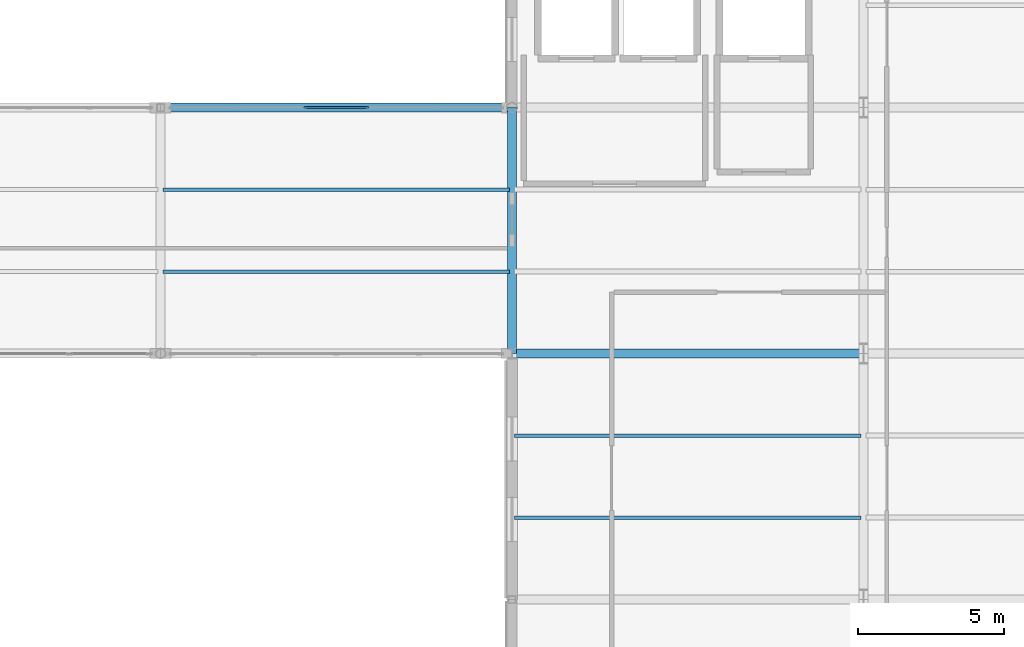
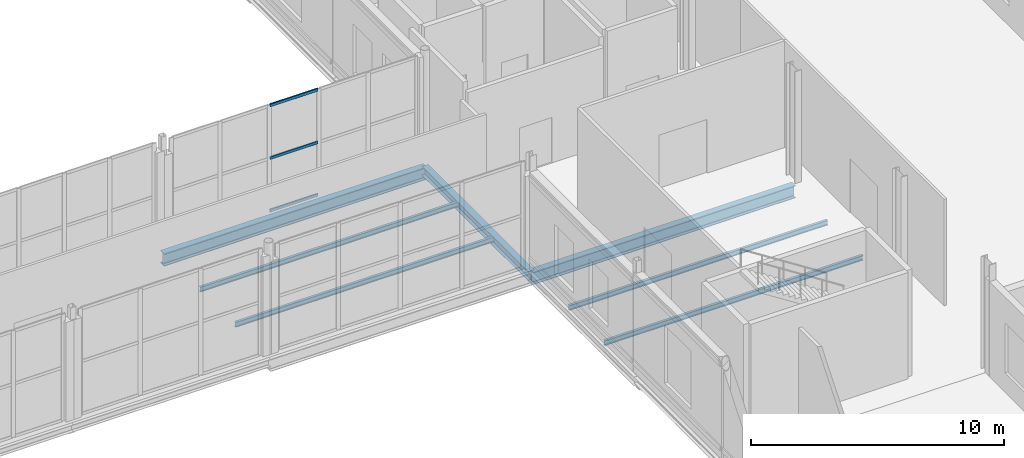
# One storey, part 91 of 147: 7 beams, 3 members, 1 element without a shape of its own.
"""IFC4 building model written with IfcOpenShell, lengths in metres."""

import ifcopenshell
import ifcopenshell.guid

model = None  # the IFC model being written
_history = None  # IfcOwnerHistory: only IFC2X3 demands one
_inside = {}  # id of a spatial element -> (the spatial element, [elements in it])
_under = {}  # id of a project, library or spatial element -> (it, [spatial elements below it])
_declared = {}  # id of a project -> (the project, [libraries it declares])
_typed = {}  # id of a type object -> (the type object, [elements of that type])
_made_of = {}  # id of a material, layer set ... -> (it, [elements and type objects made of it])


def new_model(schema):
    """Start an empty IFC model of exactly this schema.

    Asked for "IFC4X3", IfcOpenShell would pick the latest addendum, in which some entities
    have other attributes; the version numbers below select the first issue.
    IFC2X3 requires an IfcOwnerHistory on every rooted entity: one is made here for all.
    """
    global model, _history
    if schema == "IFC4X3":
        model = ifcopenshell.file(schema_version=(4, 3, 0, 0))
    else:
        model = ifcopenshell.file(schema=schema)
    _inside.clear()
    _under.clear()
    _declared.clear()
    _typed.clear()
    _made_of.clear()
    _history = None
    if model.schema == "IFC2X3":
        org = make("IfcOrganization", Name="unknown")
        user = make(
            "IfcPersonAndOrganization",
            ThePerson=make("IfcPerson", FamilyName="unknown"),
            TheOrganization=org,
        )
        app = make(
            "IfcApplication",
            ApplicationDeveloper=org,
            Version="unknown",
            ApplicationFullName="unknown",
            ApplicationIdentifier="unknown",
        )
        _history = make(
            "IfcOwnerHistory",
            OwningUser=user,
            OwningApplication=app,
            ChangeAction="ADDED",
            CreationDate=0,
        )
    return model


def make(cls, **values):
    """One entity of the class cls with the attributes given. An attribute that is None is left unset."""
    return model.create_entity(
        cls, **{name: value for name, value in values.items() if value is not None}
    )


def rooted(cls, **values):
    """An entity with a GlobalId (a new one), such as an element, a storey or a relation."""
    return make(cls, GlobalId=ifcopenshell.guid.new(), OwnerHistory=_history, **values)


def si_unit(unit_type, name, prefix=None):
    """IfcSIUnit, for example si_unit("LENGTHUNIT", "METRE", prefix="MILLI")."""
    return make("IfcSIUnit", UnitType=unit_type, Prefix=prefix, Name=name)


def assignment(units):
    """IfcUnitAssignment: the units of a project."""
    return None if units is None else make("IfcUnitAssignment", Units=units)


def point(xyz):
    """IfcCartesianPoint."""
    return None if xyz is None else make("IfcCartesianPoint", Coordinates=xyz)


def direction(xyz):
    """IfcDirection."""
    return None if xyz is None else make("IfcDirection", DirectionRatios=xyz)


def frame(location, z_axis=None, x_axis=None):
    """IfcAxis2Placement3D, a coordinate frame: its origin and axes. An axis left out is left unset."""
    return make(
        "IfcAxis2Placement3D",
        Location=point(location),
        Axis=direction(z_axis),
        RefDirection=direction(x_axis),
    )


def frame_2d(location, x_axis=None):
    """IfcAxis2Placement2D, a coordinate frame in the plane: its origin and x axis."""
    return make(
        "IfcAxis2Placement2D", Location=point(location), RefDirection=direction(x_axis)
    )


def origin():
    """The frame at (0, 0, 0) with its axes left unset."""
    return frame((0.0, 0.0, 0.0))


def origin_2d():
    """The frame at (0, 0) in the plane with its x axis left unset."""
    return frame_2d((0.0, 0.0))


def place(relative_to, where):
    """IfcLocalPlacement: puts the frame where relative to a parent placement (None: the world)."""
    return make(
        "IfcLocalPlacement", PlacementRelTo=relative_to, RelativePlacement=where
    )


def context(
    kind, dimensions, precision=None, world=None, true_north=None, identifier=None
):
    """IfcGeometricRepresentationContext, for example the 3D "Model" context."""
    return make(
        "IfcGeometricRepresentationContext",
        ContextIdentifier=identifier,
        ContextType=kind,
        CoordinateSpaceDimension=dimensions,
        Precision=precision,
        WorldCoordinateSystem=world,
        TrueNorth=true_north,
    )


def subcontext(parent, identifier, kind, view, scale=None):
    """IfcGeometricRepresentationSubContext, for example "Body" below "Model"."""
    return make(
        "IfcGeometricRepresentationSubContext",
        ContextIdentifier=identifier,
        ContextType=kind,
        ParentContext=parent,
        TargetScale=scale,
        TargetView=view,
    )


def project(units=None, contexts=None):
    """IfcProject with its units and contexts."""
    return rooted(
        "IfcProject",
        Name="project",
        RepresentationContexts=contexts,
        UnitsInContext=assignment(units),
    )


def spatial(cls, under=None, at=None, **own):
    """A site, building, storey or space (cls), placed at a placement, below another one or the project."""
    s = rooted(cls, ObjectPlacement=at, **own)
    if under is not None:
        _under.setdefault(under.id(), (under, []))[1].append(s)
    return s


def profile(cls, at=None, kind="AREA", **sizes):
    """A parametric profile (cls). Its sizes go by their IFC names, for example OverallWidth=200.0."""
    return make(cls, ProfileType=kind, Position=at, **sizes)


def hollow_rectangle(**sizes):
    """IfcRectangleHollowProfileDef."""
    return profile("IfcRectangleHollowProfileDef", **sizes)


def i_section(**sizes):
    """IfcIShapeProfileDef."""
    return profile("IfcIShapeProfileDef", **sizes)


def extrude(swept, where, along, depth):
    """IfcExtrudedAreaSolid: the profile swept, set in the frame where, extruded along a direction by depth."""
    return make(
        "IfcExtrudedAreaSolid",
        SweptArea=swept,
        Position=where,
        ExtrudedDirection=direction(along),
        Depth=depth,
    )


def shape(context_of_items, identifier, shape_type, items):
    """IfcShapeRepresentation: the items that make up one representation, for example the "Body"."""
    return make(
        "IfcShapeRepresentation",
        ContextOfItems=context_of_items,
        RepresentationIdentifier=identifier,
        RepresentationType=shape_type,
        Items=items,
    )


def material(Name=None, Category=None):
    """IfcMaterial."""
    return make("IfcMaterial", Name=Name, Category=Category)


def layer(
    of_material, thickness, ventilated=None, Name=None, Category=None, Priority=None
):
    """IfcMaterialLayer: one layer of a wall or slab, of a material (None: an air gap)."""
    return make(
        "IfcMaterialLayer",
        Material=of_material,
        LayerThickness=thickness,
        IsVentilated=ventilated,
        Name=Name,
        Category=Category,
        Priority=Priority,
    )


def layer_set(layers, Name=None):
    """IfcMaterialLayerSet."""
    return make("IfcMaterialLayerSet", MaterialLayers=layers, LayerSetName=Name)


def material_profile(
    of_material, cross_section, Name=None, Category=None, Priority=None
):
    """IfcMaterialProfile: a cross section and its material."""
    return make(
        "IfcMaterialProfile",
        Name=Name,
        Material=of_material,
        Profile=cross_section,
        Priority=Priority,
        Category=Category,
    )


def profile_set(profiles, Name=None, composite=None):
    """IfcMaterialProfileSet."""
    return make(
        "IfcMaterialProfileSet",
        Name=Name,
        MaterialProfiles=profiles,
        CompositeProfile=composite,
    )


def made_of(thing, what):
    """Note that an element or type object is made of a material, layer set ...; save() writes the relation."""
    if what is not None:
        _made_of.setdefault(what.id(), (what, []))[1].append(thing)
    return thing


def type_object(cls, material=None, **own):
    """A type object (cls), such as IfcWallType, which elements share."""
    return made_of(rooted(cls, **own), material)


def element(
    cls,
    number,
    at=None,
    inside=None,
    cuts=None,
    type_object=None,
    material=None,
    context=None,
    identifier="Body",
    shape_type=None,
    held_by="IfcProductDefinitionShape",
    body=None,
    shapes=None,
    **own,
):
    """One element of the class cls, such as IfcWall. Its Tag is "e" and its number.

    at: its placement. inside: the storey or other place that contains it. cuts: it is an
    opening in that element (IfcRelVoidsElement). A single representation is given by context,
    identifier, shape_type and body (its items); several are given by shapes. held_by: the class
    of the entity that holds the representations. save() writes the other relations.
    """
    e = rooted(cls, Tag="e%d" % number, ObjectPlacement=at, **own)
    if body is not None:
        shapes = [shape(context, identifier, shape_type, body)]
    if shapes is not None:
        e.Representation = make(held_by, Representations=shapes)
    if inside is not None:
        _inside.setdefault(inside.id(), (inside, []))[1].append(e)
    if cuts is not None:
        rooted(
            "IfcRelVoidsElement", RelatingBuildingElement=cuts, RelatedOpeningElement=e
        )
    if type_object is not None:
        _typed.setdefault(type_object.id(), (type_object, []))[1].append(e)
    return made_of(e, material)


def aggregate(whole, parts):
    """IfcRelAggregates: a whole, such as a stair, and the parts it consists of."""
    return rooted("IfcRelAggregates", RelatingObject=whole, RelatedObjects=parts)


def save(model, path):
    """Write the relations noted so far, then the file.

    IfcRelAggregates (storeys below a building ...), IfcRelContainedInSpatialStructure (elements
    in a storey), IfcRelDefinesByType, IfcRelAssociatesMaterial and IfcRelDeclares: one each for
    every whole, place, type object, material and project.
    """
    for whole, parts in _under.values():
        aggregate(whole, parts)
    for where, things in _inside.values():
        rooted(
            "IfcRelContainedInSpatialStructure",
            RelatedElements=things,
            RelatingStructure=where,
        )
    for kind, things in _typed.values():
        rooted("IfcRelDefinesByType", RelatedObjects=things, RelatingType=kind)
    for what, things in _made_of.values():
        rooted("IfcRelAssociatesMaterial", RelatedObjects=things, RelatingMaterial=what)
    for by, libraries in _declared.values():
        rooted("IfcRelDeclares", RelatingContext=by, RelatedDefinitions=libraries)
    model.write(path)


model = new_model("IFC4")

# Units and contexts
model_context = context("Model", 3, precision=1e-05, world=origin(), true_north=direction((0.0, 1.0)))
body_context = subcontext(model_context, "Body", "Model", "MODEL_VIEW")
ifc_project = project(units=[si_unit("LENGTHUNIT", "METRE"), si_unit("AREAUNIT", "SQUARE_METRE"), si_unit("VOLUMEUNIT", "CUBIC_METRE"), si_unit("PLANEANGLEUNIT", "RADIAN"), si_unit("MASSUNIT", "GRAM", prefix="KILO")], contexts=[model_context])

# Site, building, storey
site_placement = place(None, origin())
site = spatial("IfcSite", under=ifc_project, at=site_placement, CompositionType="ELEMENT")
building_placement = place(site_placement, origin())
building = spatial("IfcBuilding", under=site, at=building_placement, Name="Vekula Escarpment Museum", CompositionType="ELEMENT")
storey_placement = place(building_placement, frame((0.0, 0.0, 7.800048828125)))
storey = spatial("IfcBuildingStorey", under=building, at=storey_placement, Name="L02", CompositionType="ELEMENT", Elevation=7.800048828125)

# Beams
ifc_material_1 = material(Name="Steel S355", Category="steel")
ifc_material_profile_1 = material_profile(ifc_material_1, i_section(OverallWidth=0.300048828125, OverallDepth=0.60009765625, WebThickness=0.015380859375, FlangeThickness=0.030029296875, FilletRadius=0.027099609375, at=origin_2d()), Name="HEB 600")
ifc_profile_set_1 = profile_set([ifc_material_profile_1], Name="Steel S355")
beam_type_1 = type_object("IfcBeamType", Name="BM-GIRD-HEB600", PredefinedType="BEAM", material=ifc_profile_set_1)
for number, where, z_axis, x_axis, name in (
    (1, (167.0, 68.0, -0.56005859375), (1.0, 0.0, 0.0), (0.0, 1.0, 0.0), "Beam X L02 0905"),
    (2, (155.0, 76.39990234375, -0.56005859375), (1.0, 0.0, 0.0), (0.0, 1.0, 0.0), "Beam X L02 0927"),
):
    element("IfcBeam", number, at=place(storey_placement, frame(where, z_axis=z_axis, x_axis=x_axis)), inside=storey, type_object=beam_type_1, Name=name, PredefinedType="BEAM", context=body_context, shape_type="SweptSolid", body=[
        extrude(i_section(OverallWidth=0.300048828125, OverallDepth=0.60009765625, WebThickness=0.015380859375, FlangeThickness=0.030029296875, FilletRadius=0.027099609375, at=origin_2d()), origin(), (0.0, 0.0, 1.0), 12.0),
    ])
ifc_material_2 = material(Name="Steel S355", Category="steel")
ifc_material_profile_2 = material_profile(ifc_material_2, i_section(OverallWidth=0.1201171875, OverallDepth=0.239990234375, WebThickness=0.006103515625, FlangeThickness=0.009765625, FilletRadius=0.014892578125, at=origin_2d()), Name="IPE 240")
ifc_profile_set_2 = profile_set([ifc_material_profile_2], Name="Steel S355")
beam_type_2 = type_object("IfcBeamType", Name="BM-JST-IPE240", PredefinedType="JOIST", material=ifc_profile_set_2)
for number, where, z_axis, x_axis, name in (
    (3, (155.090087890625, 70.800048828125, -0.380126953125), (1.0, 0.0, 0.0), (0.0, 1.0, 0.0), "Secondary Joist L02 0839"),
    (4, (155.090087890625, 73.60009765625, -0.380126953125), (1.0, 0.0, 0.0), (0.0, 1.0, 0.0), "Secondary Joist L02 0840"),
    (5, (167.090087890625, 62.39990234375, -0.380126953125), (1.0, 0.0, 0.0), (0.0, 1.0, 0.0), "Secondary Joist L02 0853"),
    (6, (167.090087890625, 65.199951171875, -0.380126953125), (1.0, 0.0, 0.0), (0.0, 1.0, 0.0), "Secondary Joist L02 0854"),
):
    element("IfcBeam", number, at=place(storey_placement, frame(where, z_axis=z_axis, x_axis=x_axis)), inside=storey, type_object=beam_type_2, Name=name, PredefinedType="JOIST", context=body_context, shape_type="SweptSolid", body=[
        extrude(i_section(OverallWidth=0.1201171875, OverallDepth=0.239990234375, WebThickness=0.006103515625, FlangeThickness=0.009765625, FilletRadius=0.014892578125, at=origin_2d()), origin(), (0.0, 0.0, 1.0), 11.81982421875),
    ])
ifc_material_3 = material(Name="Steel S355", Category="steel")
ifc_material_profile_3 = material_profile(ifc_material_3, i_section(OverallWidth=0.300048828125, OverallDepth=0.43994140625, WebThickness=0.011474609375, FlangeThickness=0.02099609375, FilletRadius=0.027099609375, at=origin_2d()), Name="HEA 450")
ifc_profile_set_3 = profile_set([ifc_material_profile_3], Name="Steel S355")
beam_type_3 = type_object("IfcBeamType", Name="BM-SPAN-HEA450", PredefinedType="SPANDREL", material=ifc_profile_set_3)
beam_placement = place(storey_placement, frame((167.0, 68.0, -0.47998046875), z_axis=(0.0, 1.0, 0.0), x_axis=(-1.0, 0.0, 0.0)))
element("IfcBeam", 7, at=beam_placement, inside=storey, type_object=beam_type_3, Name="Beam Y L02 1230", PredefinedType="SPANDREL", context=body_context, shape_type="SweptSolid", body=[
    extrude(i_section(OverallWidth=0.300048828125, OverallDepth=0.43994140625, WebThickness=0.011474609375, FlangeThickness=0.02099609375, FilletRadius=0.027099609375, at=origin_2d()), origin(), (0.0, 0.0, 1.0), 8.39990234375),
])

# Curtain wall, members
ifc_material_4 = material(Name="Aluminium thermally broken framing", Category="aluminium")
ifc_layer = layer(ifc_material_4, 0.169921875)
ifc_layer_set = layer_set([ifc_layer], Name="Aluminium thermally broken framing")
curtain_wall_type = type_object("IfcCurtainWallType", Name="CW-SYS-10", PredefinedType="NOTDEFINED", material=ifc_layer_set)
curtain_wall_placement = place(storey_placement, origin())
curtain_wall = element("IfcCurtainWall", 8, at=curtain_wall_placement, inside=storey, type_object=curtain_wall_type, Name="Curtain Wall CW-L02-070", PredefinedType="NOTDEFINED")
ifc_material_5 = material(Name="Aluminium anodized transom", Category="aluminium")
ifc_material_profile_4 = material_profile(ifc_material_5, hollow_rectangle(XDim=0.06494140625, YDim=0.139892578125, WallThickness=0.00390625, InnerFilletRadius=0.00390625, OuterFilletRadius=0.008056640625, at=origin_2d()), Name="ALU 140x65x4")
ifc_profile_set_4 = profile_set([ifc_material_profile_4], Name="Aluminium anodized transom")
member_type = type_object("IfcMemberType", Name="CW-TRN-140", PredefinedType="USERDEFINED", material=ifc_profile_set_4)
member_1_placement = place(storey_placement, frame((162.095458984375, 76.39990234375, 0.032470703125), z_axis=(-1.0, 0.0, 0.0), x_axis=(0.0, -1.0, 0.0)))
member_1 = element("IfcMember", 9, at=member_1_placement, type_object=member_type, Name="CW-10 transom 3.1", ObjectType="TRANSOM", PredefinedType="USERDEFINED", context=body_context, shape_type="SweptSolid", body=[
    extrude(hollow_rectangle(XDim=0.06494140625, YDim=0.139892578125, WallThickness=0.00390625, InnerFilletRadius=0.00390625, OuterFilletRadius=0.008056640625, at=origin_2d()), origin(), (0.0, 0.0, 1.0), 2.19091796875),
])
member_2_placement = place(storey_placement, frame((162.095458984375, 76.39990234375, 2.574951171875), z_axis=(-1.0, 0.0, 0.0), x_axis=(0.0, -1.0, 0.0)))
member_2 = element("IfcMember", 10, at=member_2_placement, type_object=member_type, Name="CW-10 transom 3.2", ObjectType="TRANSOM", PredefinedType="USERDEFINED", context=body_context, shape_type="SweptSolid", body=[
    extrude(hollow_rectangle(XDim=0.06494140625, YDim=0.139892578125, WallThickness=0.00390625, InnerFilletRadius=0.00390625, OuterFilletRadius=0.008056640625, at=origin_2d()), origin(), (0.0, 0.0, 1.0), 2.19091796875),
])
member_3_placement = place(storey_placement, frame((162.095458984375, 76.39990234375, 5.117431640625), z_axis=(-1.0, 0.0, 0.0), x_axis=(0.0, -1.0, 0.0)))
member_3 = element("IfcMember", 11, at=member_3_placement, type_object=member_type, Name="CW-10 transom 3.3", ObjectType="TRANSOM", PredefinedType="USERDEFINED", context=body_context, shape_type="SweptSolid", body=[
    extrude(hollow_rectangle(XDim=0.06494140625, YDim=0.139892578125, WallThickness=0.00390625, InnerFilletRadius=0.00390625, OuterFilletRadius=0.008056640625, at=origin_2d()), origin(), (0.0, 0.0, 1.0), 2.19091796875),
])
aggregate(curtain_wall, [member_1, member_2, member_3])

save(model, "model.ifc")
